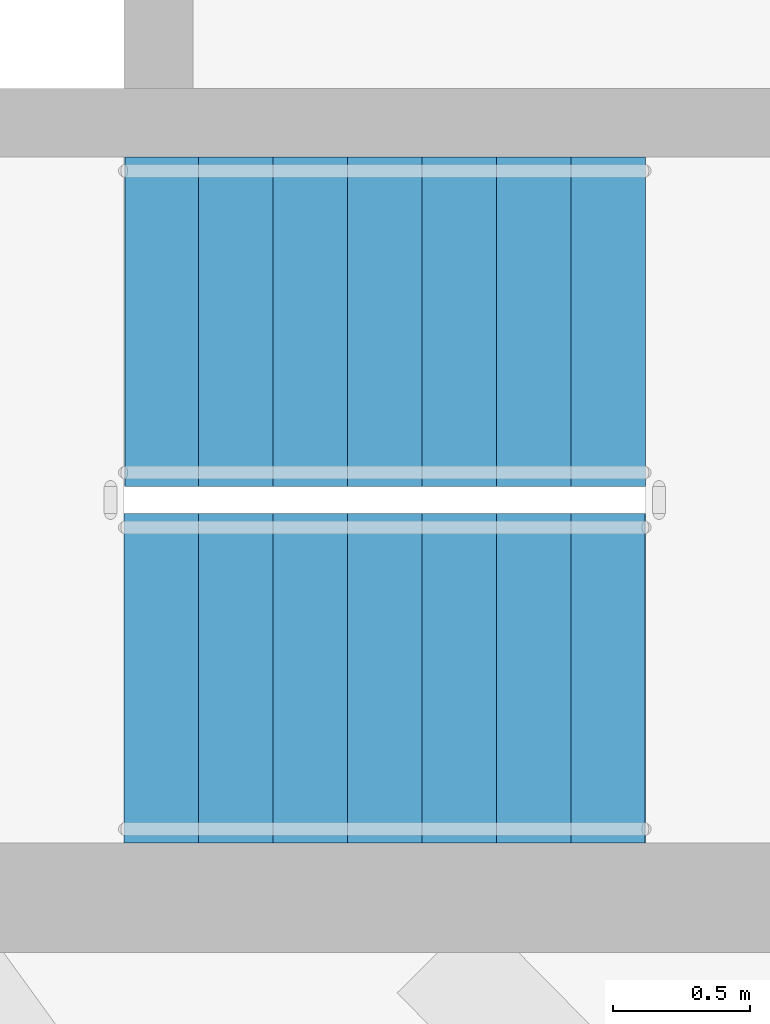
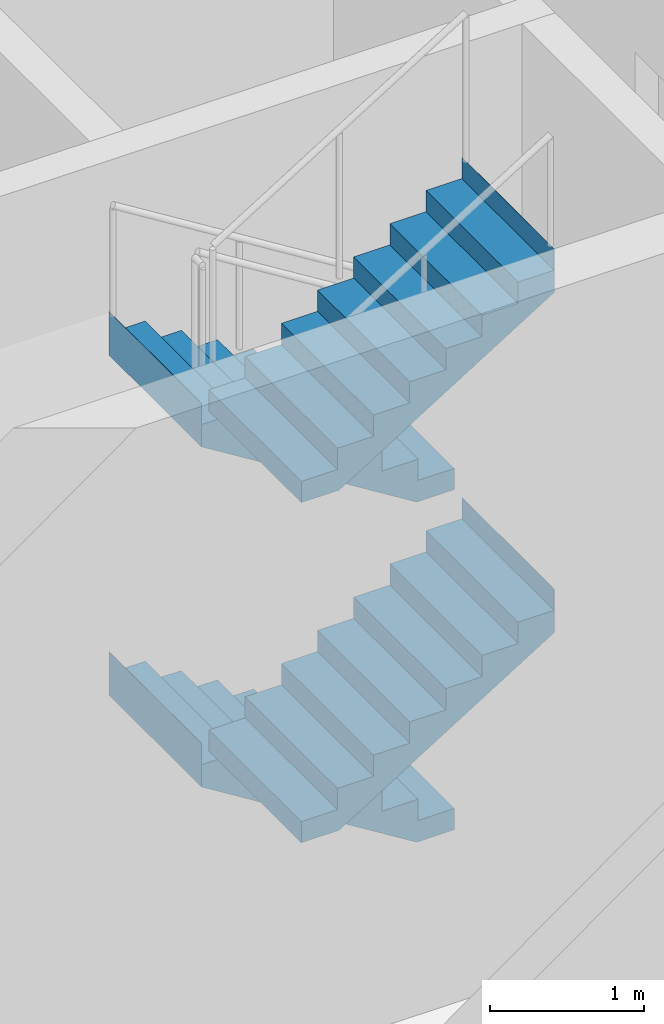
# One storey, part 9 of 17: 4 stair flights, 1 element without a shape of its own.
"""IFC4 building model written with IfcOpenShell, lengths in metres."""

from ifc_helpers import new_model, si_unit, direction, frame, origin, place, context, subcontext, project, spatial, triangles, material, type_object, element, aggregate, save


model = new_model("IFC4")

# Units and contexts
model_context = context("Model", 3, precision=1e-05, world=origin(), true_north=direction((0.0, 1.0)))
body_context = subcontext(model_context, "Body", "Model", "MODEL_VIEW")
ifc_project = project(units=[si_unit("LENGTHUNIT", "METRE"), si_unit("AREAUNIT", "SQUARE_METRE"), si_unit("VOLUMEUNIT", "CUBIC_METRE"), si_unit("PLANEANGLEUNIT", "RADIAN"), si_unit("MASSUNIT", "GRAM", prefix="KILO")], contexts=[model_context])

# Site, building, storey
site_placement = place(None, origin())
site = spatial("IfcSite", under=ifc_project, at=site_placement, CompositionType="ELEMENT")
building_placement = place(site_placement, origin())
building = spatial("IfcBuilding", under=site, at=building_placement, Name="Sahrelin Media Tower", CompositionType="ELEMENT")
storey_placement = place(building_placement, frame((0.0, 0.0, 249.60009765625)))
storey = spatial("IfcBuildingStorey", under=building, at=storey_placement, Name="L54", CompositionType="ELEMENT", Elevation=249.60009765625)

# Stair, stair flights
ifc_material = material(Name="Concrete C40/50", Category="concrete")
stair_type = type_object("IfcStairType", Name="Exit stair 1200", PredefinedType="HALF_TURN_STAIR", material=ifc_material)
stair_placement = place(storey_placement, origin())
stair = element("IfcStair", 1, at=stair_placement, inside=storey, type_object=stair_type, Name="L54 Exit stair ST2", PredefinedType="HALF_TURN_STAIR")
stair_flight_type = type_object("IfcStairFlightType", Name="Stair flight 1200", PredefinedType="STRAIGHT", material=ifc_material)
stair_flight_1_placement = place(storey_placement, frame((7.675048828125, -4.699951171875, 0.0), z_axis=(0.0, 0.0, 1.0), x_axis=(-1.0, 0.0, 0.0)))
stair_flight_1 = element("IfcStairFlight", 2, at=stair_flight_1_placement, type_object=stair_flight_type, Name="ST2 flight 1", NumberOfRisers=8, NumberOfTreads=7, PredefinedType="STRAIGHT", RiserHeight=0.16875, TreadLength=0.271428571, context=body_context, shape_type="Tessellation", body=[
    triangles([(0.283935546875, 0.60009765625, 0.0), (0.283935546875, 0.300048828125, 0.0), (0.283935546875, 0.0, 0.0), (0.283935546875, -0.300048828125, 0.0), (0.283935546875, -0.60009765625, 0.0), (1.89990234375, 0.60009765625, 1.004638671875), (1.89990234375, 0.300048828125, 1.004638671875), (1.89990234375, 0.0, 1.004638671875), (1.89990234375, -0.300048828125, 1.004638671875), (1.89990234375, -0.60009765625, 1.004638671875), (1.89990234375, 0.60009765625, 1.35009765625), (1.89990234375, 0.300048828125, 1.35009765625), (1.89990234375, 0.0, 1.35009765625), (1.89990234375, -0.300048828125, 1.35009765625), (1.89990234375, -0.60009765625, 1.35009765625), (1.89794921875, 0.60009765625, 1.35009765625), (1.89794921875, 0.300048828125, 1.35009765625), (1.89794921875, 0.0, 1.35009765625), (1.89794921875, -0.300048828125, 1.35009765625), (1.89794921875, -0.60009765625, 1.35009765625), (1.89794921875, 0.60009765625, 1.18115234375), (1.89794921875, 0.300048828125, 1.18115234375), (1.89794921875, 0.0, 1.18115234375), (1.89794921875, -0.300048828125, 1.18115234375), (1.89794921875, -0.60009765625, 1.18115234375), (1.628662109375, 0.60009765625, 1.18115234375), (1.628662109375, 0.300048828125, 1.18115234375), (1.628662109375, 0.0, 1.18115234375), (1.628662109375, -0.300048828125, 1.18115234375), (1.628662109375, -0.60009765625, 1.18115234375), (1.628662109375, 0.60009765625, 1.012451171875), (1.628662109375, 0.300048828125, 1.012451171875), (1.628662109375, 0.0, 1.012451171875), (1.628662109375, -0.300048828125, 1.012451171875), (1.628662109375, -0.60009765625, 1.012451171875), (1.357177734375, 0.60009765625, 1.012451171875), (1.357177734375, 0.300048828125, 1.012451171875), (1.357177734375, 0.0, 1.012451171875), (1.357177734375, -0.300048828125, 1.012451171875), (1.357177734375, -0.60009765625, 1.012451171875), (1.357177734375, 0.60009765625, 0.84375), (1.357177734375, 0.300048828125, 0.84375), (1.357177734375, 0.0, 0.84375), (1.357177734375, -0.300048828125, 0.84375), (1.357177734375, -0.60009765625, 0.84375), (1.085693359375, 0.60009765625, 0.84375), (1.085693359375, 0.300048828125, 0.84375), (1.085693359375, 0.0, 0.84375), (1.085693359375, -0.300048828125, 0.84375), (1.085693359375, -0.60009765625, 0.84375), (1.085693359375, 0.60009765625, 0.675048828125), (1.085693359375, 0.300048828125, 0.675048828125), (1.085693359375, 0.0, 0.675048828125), (1.085693359375, -0.300048828125, 0.675048828125), (1.085693359375, -0.60009765625, 0.675048828125), (0.814208984375, 0.60009765625, 0.675048828125), (0.814208984375, 0.300048828125, 0.675048828125), (0.814208984375, 0.0, 0.675048828125), (0.814208984375, -0.300048828125, 0.675048828125), (0.814208984375, -0.60009765625, 0.675048828125), (0.814208984375, 0.60009765625, 0.50634765625), (0.814208984375, 0.300048828125, 0.50634765625), (0.814208984375, 0.0, 0.50634765625), (0.814208984375, -0.300048828125, 0.50634765625), (0.814208984375, -0.60009765625, 0.50634765625), (0.54296875, 0.60009765625, 0.50634765625), (0.54296875, 0.300048828125, 0.50634765625), (0.54296875, 0.0, 0.50634765625), (0.54296875, -0.300048828125, 0.50634765625), (0.54296875, -0.60009765625, 0.50634765625), (0.54296875, 0.60009765625, 0.33740234375), (0.54296875, 0.300048828125, 0.33740234375), (0.54296875, 0.0, 0.33740234375), (0.54296875, -0.300048828125, 0.33740234375), (0.54296875, -0.60009765625, 0.33740234375), (0.271484375, 0.60009765625, 0.33740234375), (0.271484375, 0.300048828125, 0.33740234375), (0.271484375, 0.0, 0.33740234375), (0.271484375, -0.300048828125, 0.33740234375), (0.271484375, -0.60009765625, 0.33740234375), (0.271484375, 0.60009765625, 0.168701171875), (0.271484375, 0.300048828125, 0.168701171875), (0.271484375, 0.0, 0.168701171875), (0.271484375, -0.300048828125, 0.168701171875), (0.271484375, -0.60009765625, 0.168701171875), (0.0, 0.60009765625, 0.168701171875), (0.0, 0.300048828125, 0.168701171875), (0.0, 0.0, 0.168701171875), (0.0, -0.300048828125, 0.168701171875), (0.0, -0.60009765625, 0.168701171875), (0.0, 0.60009765625, 0.0), (0.0, 0.300048828125, 0.0), (0.0, 0.0, 0.0), (0.0, -0.300048828125, 0.0), (0.0, -0.60009765625, 0.0)], [[1, 6, 7], [1, 7, 2], [2, 7, 8], [2, 8, 3], [3, 8, 9], [3, 9, 4], [4, 9, 10], [4, 10, 5], [6, 11, 12], [6, 12, 7], [7, 12, 13], [7, 13, 8], [8, 13, 14], [8, 14, 9], [9, 14, 15], [9, 15, 10], [11, 16, 17], [11, 17, 12], [12, 17, 18], [12, 18, 13], [13, 18, 19], [13, 19, 14], [14, 19, 20], [14, 20, 15], [16, 21, 22], [16, 22, 17], [17, 22, 23], [17, 23, 18], [18, 23, 24], [18, 24, 19], [19, 24, 25], [19, 25, 20], [21, 26, 27], [21, 27, 22], [22, 27, 28], [22, 28, 23], [23, 28, 29], [23, 29, 24], [24, 29, 30], [24, 30, 25], [26, 31, 32], [26, 32, 27], [27, 32, 33], [27, 33, 28], [28, 33, 34], [28, 34, 29], [29, 34, 35], [29, 35, 30], [31, 36, 37], [31, 37, 32], [32, 37, 38], [32, 38, 33], [33, 38, 39], [33, 39, 34], [34, 39, 40], [34, 40, 35], [36, 41, 42], [36, 42, 37], [37, 42, 43], [37, 43, 38], [38, 43, 44], [38, 44, 39], [39, 44, 45], [39, 45, 40], [41, 46, 47], [41, 47, 42], [42, 47, 48], [42, 48, 43], [43, 48, 49], [43, 49, 44], [44, 49, 50], [44, 50, 45], [46, 51, 52], [46, 52, 47], [47, 52, 53], [47, 53, 48], [48, 53, 54], [48, 54, 49], [49, 54, 55], [49, 55, 50], [51, 56, 57], [51, 57, 52], [52, 57, 58], [52, 58, 53], [53, 58, 59], [53, 59, 54], [54, 59, 60], [54, 60, 55], [56, 61, 62], [56, 62, 57], [57, 62, 63], [57, 63, 58], [58, 63, 64], [58, 64, 59], [59, 64, 65], [59, 65, 60], [61, 66, 67], [61, 67, 62], [62, 67, 68], [62, 68, 63], [63, 68, 69], [63, 69, 64], [64, 69, 70], [64, 70, 65], [66, 71, 72], [66, 72, 67], [67, 72, 73], [67, 73, 68], [68, 73, 74], [68, 74, 69], [69, 74, 75], [69, 75, 70], [71, 76, 77], [71, 77, 72], [72, 77, 78], [72, 78, 73], [73, 78, 79], [73, 79, 74], [74, 79, 80], [74, 80, 75], [76, 81, 82], [76, 82, 77], [77, 82, 83], [77, 83, 78], [78, 83, 84], [78, 84, 79], [79, 84, 85], [79, 85, 80], [81, 86, 87], [81, 87, 82], [82, 87, 88], [82, 88, 83], [83, 88, 89], [83, 89, 84], [84, 89, 90], [84, 90, 85], [86, 91, 92], [86, 92, 87], [87, 92, 93], [87, 93, 88], [88, 93, 94], [88, 94, 89], [89, 94, 95], [89, 95, 90], [91, 1, 2], [91, 2, 92], [92, 2, 3], [92, 3, 93], [93, 3, 4], [93, 4, 94], [94, 4, 5], [94, 5, 95], [85, 90, 95], [81, 91, 86], [85, 75, 80], [81, 76, 71], [75, 65, 70], [71, 66, 61], [65, 55, 60], [61, 56, 51], [55, 45, 50], [51, 46, 41], [45, 35, 40], [41, 36, 31], [35, 25, 30], [31, 26, 21], [25, 15, 20], [21, 16, 11], [95, 5, 85], [91, 81, 1], [5, 55, 65], [1, 61, 51], [25, 10, 15], [21, 11, 6], [75, 85, 5], [71, 1, 81], [10, 45, 55], [6, 51, 41], [35, 10, 25], [31, 21, 6], [65, 75, 5], [61, 1, 71], [45, 10, 35], [41, 31, 6], [5, 10, 55], [1, 51, 6]], closed=True),
])
stair_flight_2_placement = place(storey_placement, frame((5.77490234375, -6.0, 1.349853515625), z_axis=(0.0, 0.0, 1.0), x_axis=(1.0, 0.0, 0.0)))
stair_flight_2 = element("IfcStairFlight", 3, at=stair_flight_2_placement, type_object=stair_flight_type, Name="ST2 flight 2", NumberOfRisers=8, NumberOfTreads=7, PredefinedType="STRAIGHT", RiserHeight=0.16875, TreadLength=0.271428571, context=body_context, shape_type="Tessellation", body=[
    triangles([(0.283935546875, 0.60009765625, 0.0), (0.283935546875, 0.300048828125, 0.0), (0.283935546875, 0.0, 0.0), (0.283935546875, -0.300048828125, 0.0), (0.283935546875, -0.60009765625, 0.0), (1.89990234375, 0.60009765625, 1.004638671875), (1.89990234375, 0.300048828125, 1.004638671875), (1.89990234375, 0.0, 1.004638671875), (1.89990234375, -0.300048828125, 1.004638671875), (1.89990234375, -0.60009765625, 1.004638671875), (1.89990234375, 0.60009765625, 1.35009765625), (1.89990234375, 0.300048828125, 1.35009765625), (1.89990234375, 0.0, 1.35009765625), (1.89990234375, -0.300048828125, 1.35009765625), (1.89990234375, -0.60009765625, 1.35009765625), (1.89794921875, 0.60009765625, 1.35009765625), (1.89794921875, 0.300048828125, 1.35009765625), (1.89794921875, 0.0, 1.35009765625), (1.89794921875, -0.300048828125, 1.35009765625), (1.89794921875, -0.60009765625, 1.35009765625), (1.89794921875, 0.60009765625, 1.18115234375), (1.89794921875, 0.300048828125, 1.18115234375), (1.89794921875, 0.0, 1.18115234375), (1.89794921875, -0.300048828125, 1.18115234375), (1.89794921875, -0.60009765625, 1.18115234375), (1.628662109375, 0.60009765625, 1.18115234375), (1.628662109375, 0.300048828125, 1.18115234375), (1.628662109375, 0.0, 1.18115234375), (1.628662109375, -0.300048828125, 1.18115234375), (1.628662109375, -0.60009765625, 1.18115234375), (1.628662109375, 0.60009765625, 1.012451171875), (1.628662109375, 0.300048828125, 1.012451171875), (1.628662109375, 0.0, 1.012451171875), (1.628662109375, -0.300048828125, 1.012451171875), (1.628662109375, -0.60009765625, 1.012451171875), (1.357177734375, 0.60009765625, 1.012451171875), (1.357177734375, 0.300048828125, 1.012451171875), (1.357177734375, 0.0, 1.012451171875), (1.357177734375, -0.300048828125, 1.012451171875), (1.357177734375, -0.60009765625, 1.012451171875), (1.357177734375, 0.60009765625, 0.84375), (1.357177734375, 0.300048828125, 0.84375), (1.357177734375, 0.0, 0.84375), (1.357177734375, -0.300048828125, 0.84375), (1.357177734375, -0.60009765625, 0.84375), (1.085693359375, 0.60009765625, 0.84375), (1.085693359375, 0.300048828125, 0.84375), (1.085693359375, 0.0, 0.84375), (1.085693359375, -0.300048828125, 0.84375), (1.085693359375, -0.60009765625, 0.84375), (1.085693359375, 0.60009765625, 0.675048828125), (1.085693359375, 0.300048828125, 0.675048828125), (1.085693359375, 0.0, 0.675048828125), (1.085693359375, -0.300048828125, 0.675048828125), (1.085693359375, -0.60009765625, 0.675048828125), (0.814208984375, 0.60009765625, 0.675048828125), (0.814208984375, 0.300048828125, 0.675048828125), (0.814208984375, 0.0, 0.675048828125), (0.814208984375, -0.300048828125, 0.675048828125), (0.814208984375, -0.60009765625, 0.675048828125), (0.814208984375, 0.60009765625, 0.50634765625), (0.814208984375, 0.300048828125, 0.50634765625), (0.814208984375, 0.0, 0.50634765625), (0.814208984375, -0.300048828125, 0.50634765625), (0.814208984375, -0.60009765625, 0.50634765625), (0.54296875, 0.60009765625, 0.50634765625), (0.54296875, 0.300048828125, 0.50634765625), (0.54296875, 0.0, 0.50634765625), (0.54296875, -0.300048828125, 0.50634765625), (0.54296875, -0.60009765625, 0.50634765625), (0.54296875, 0.60009765625, 0.33740234375), (0.54296875, 0.300048828125, 0.33740234375), (0.54296875, 0.0, 0.33740234375), (0.54296875, -0.300048828125, 0.33740234375), (0.54296875, -0.60009765625, 0.33740234375), (0.271484375, 0.60009765625, 0.33740234375), (0.271484375, 0.300048828125, 0.33740234375), (0.271484375, 0.0, 0.33740234375), (0.271484375, -0.300048828125, 0.33740234375), (0.271484375, -0.60009765625, 0.33740234375), (0.271484375, 0.60009765625, 0.168701171875), (0.271484375, 0.300048828125, 0.168701171875), (0.271484375, 0.0, 0.168701171875), (0.271484375, -0.300048828125, 0.168701171875), (0.271484375, -0.60009765625, 0.168701171875), (0.0, 0.60009765625, 0.168701171875), (0.0, 0.300048828125, 0.168701171875), (0.0, 0.0, 0.168701171875), (0.0, -0.300048828125, 0.168701171875), (0.0, -0.60009765625, 0.168701171875), (0.0, 0.60009765625, 0.0), (0.0, 0.300048828125, 0.0), (0.0, 0.0, 0.0), (0.0, -0.300048828125, 0.0), (0.0, -0.60009765625, 0.0)], [[1, 6, 7], [1, 7, 2], [2, 7, 8], [2, 8, 3], [3, 8, 9], [3, 9, 4], [4, 9, 10], [4, 10, 5], [6, 11, 12], [6, 12, 7], [7, 12, 13], [7, 13, 8], [8, 13, 14], [8, 14, 9], [9, 14, 15], [9, 15, 10], [11, 16, 17], [11, 17, 12], [12, 17, 18], [12, 18, 13], [13, 18, 19], [13, 19, 14], [14, 19, 20], [14, 20, 15], [16, 21, 22], [16, 22, 17], [17, 22, 23], [17, 23, 18], [18, 23, 24], [18, 24, 19], [19, 24, 25], [19, 25, 20], [21, 26, 27], [21, 27, 22], [22, 27, 28], [22, 28, 23], [23, 28, 29], [23, 29, 24], [24, 29, 30], [24, 30, 25], [26, 31, 32], [26, 32, 27], [27, 32, 33], [27, 33, 28], [28, 33, 34], [28, 34, 29], [29, 34, 35], [29, 35, 30], [31, 36, 37], [31, 37, 32], [32, 37, 38], [32, 38, 33], [33, 38, 39], [33, 39, 34], [34, 39, 40], [34, 40, 35], [36, 41, 42], [36, 42, 37], [37, 42, 43], [37, 43, 38], [38, 43, 44], [38, 44, 39], [39, 44, 45], [39, 45, 40], [41, 46, 47], [41, 47, 42], [42, 47, 48], [42, 48, 43], [43, 48, 49], [43, 49, 44], [44, 49, 50], [44, 50, 45], [46, 51, 52], [46, 52, 47], [47, 52, 53], [47, 53, 48], [48, 53, 54], [48, 54, 49], [49, 54, 55], [49, 55, 50], [51, 56, 57], [51, 57, 52], [52, 57, 58], [52, 58, 53], [53, 58, 59], [53, 59, 54], [54, 59, 60], [54, 60, 55], [56, 61, 62], [56, 62, 57], [57, 62, 63], [57, 63, 58], [58, 63, 64], [58, 64, 59], [59, 64, 65], [59, 65, 60], [61, 66, 67], [61, 67, 62], [62, 67, 68], [62, 68, 63], [63, 68, 69], [63, 69, 64], [64, 69, 70], [64, 70, 65], [66, 71, 72], [66, 72, 67], [67, 72, 73], [67, 73, 68], [68, 73, 74], [68, 74, 69], [69, 74, 75], [69, 75, 70], [71, 76, 77], [71, 77, 72], [72, 77, 78], [72, 78, 73], [73, 78, 79], [73, 79, 74], [74, 79, 80], [74, 80, 75], [76, 81, 82], [76, 82, 77], [77, 82, 83], [77, 83, 78], [78, 83, 84], [78, 84, 79], [79, 84, 85], [79, 85, 80], [81, 86, 87], [81, 87, 82], [82, 87, 88], [82, 88, 83], [83, 88, 89], [83, 89, 84], [84, 89, 90], [84, 90, 85], [86, 91, 92], [86, 92, 87], [87, 92, 93], [87, 93, 88], [88, 93, 94], [88, 94, 89], [89, 94, 95], [89, 95, 90], [91, 1, 2], [91, 2, 92], [92, 2, 3], [92, 3, 93], [93, 3, 4], [93, 4, 94], [94, 4, 5], [94, 5, 95], [85, 90, 95], [81, 91, 86], [85, 75, 80], [81, 76, 71], [75, 65, 70], [71, 66, 61], [65, 55, 60], [61, 56, 51], [55, 45, 50], [51, 46, 41], [45, 35, 40], [41, 36, 31], [35, 25, 30], [31, 26, 21], [25, 15, 20], [21, 16, 11], [95, 5, 85], [91, 81, 1], [5, 55, 65], [1, 61, 51], [25, 10, 15], [21, 11, 6], [75, 85, 5], [71, 1, 81], [10, 45, 55], [6, 51, 41], [35, 10, 25], [31, 21, 6], [65, 75, 5], [61, 1, 71], [45, 10, 35], [41, 31, 6], [5, 10, 55], [1, 51, 6]], closed=True),
])
stair_flight_3_placement = place(storey_placement, frame((7.675048828125, -4.699951171875, 2.699951171875), z_axis=(0.0, 0.0, 1.0), x_axis=(-1.0, 0.0, 0.0)))
stair_flight_3 = element("IfcStairFlight", 4, at=stair_flight_3_placement, type_object=stair_flight_type, Name="ST2 flight 3", NumberOfRisers=8, NumberOfTreads=7, PredefinedType="STRAIGHT", RiserHeight=0.16875, TreadLength=0.271428571, context=body_context, shape_type="Tessellation", body=[
    triangles([(0.283935546875, 0.60009765625, 0.0), (0.283935546875, 0.300048828125, 0.0), (0.283935546875, 0.0, 0.0), (0.283935546875, -0.300048828125, 0.0), (0.283935546875, -0.60009765625, 0.0), (1.89990234375, 0.60009765625, 1.004638671875), (1.89990234375, 0.300048828125, 1.004638671875), (1.89990234375, 0.0, 1.004638671875), (1.89990234375, -0.300048828125, 1.004638671875), (1.89990234375, -0.60009765625, 1.004638671875), (1.89990234375, 0.60009765625, 1.35009765625), (1.89990234375, 0.300048828125, 1.35009765625), (1.89990234375, 0.0, 1.35009765625), (1.89990234375, -0.300048828125, 1.35009765625), (1.89990234375, -0.60009765625, 1.35009765625), (1.89794921875, 0.60009765625, 1.35009765625), (1.89794921875, 0.300048828125, 1.35009765625), (1.89794921875, 0.0, 1.35009765625), (1.89794921875, -0.300048828125, 1.35009765625), (1.89794921875, -0.60009765625, 1.35009765625), (1.89794921875, 0.60009765625, 1.18115234375), (1.89794921875, 0.300048828125, 1.18115234375), (1.89794921875, 0.0, 1.18115234375), (1.89794921875, -0.300048828125, 1.18115234375), (1.89794921875, -0.60009765625, 1.18115234375), (1.628662109375, 0.60009765625, 1.18115234375), (1.628662109375, 0.300048828125, 1.18115234375), (1.628662109375, 0.0, 1.18115234375), (1.628662109375, -0.300048828125, 1.18115234375), (1.628662109375, -0.60009765625, 1.18115234375), (1.628662109375, 0.60009765625, 1.012451171875), (1.628662109375, 0.300048828125, 1.012451171875), (1.628662109375, 0.0, 1.012451171875), (1.628662109375, -0.300048828125, 1.012451171875), (1.628662109375, -0.60009765625, 1.012451171875), (1.357177734375, 0.60009765625, 1.012451171875), (1.357177734375, 0.300048828125, 1.012451171875), (1.357177734375, 0.0, 1.012451171875), (1.357177734375, -0.300048828125, 1.012451171875), (1.357177734375, -0.60009765625, 1.012451171875), (1.357177734375, 0.60009765625, 0.84375), (1.357177734375, 0.300048828125, 0.84375), (1.357177734375, 0.0, 0.84375), (1.357177734375, -0.300048828125, 0.84375), (1.357177734375, -0.60009765625, 0.84375), (1.085693359375, 0.60009765625, 0.84375), (1.085693359375, 0.300048828125, 0.84375), (1.085693359375, 0.0, 0.84375), (1.085693359375, -0.300048828125, 0.84375), (1.085693359375, -0.60009765625, 0.84375), (1.085693359375, 0.60009765625, 0.675048828125), (1.085693359375, 0.300048828125, 0.675048828125), (1.085693359375, 0.0, 0.675048828125), (1.085693359375, -0.300048828125, 0.675048828125), (1.085693359375, -0.60009765625, 0.675048828125), (0.814208984375, 0.60009765625, 0.675048828125), (0.814208984375, 0.300048828125, 0.675048828125), (0.814208984375, 0.0, 0.675048828125), (0.814208984375, -0.300048828125, 0.675048828125), (0.814208984375, -0.60009765625, 0.675048828125), (0.814208984375, 0.60009765625, 0.50634765625), (0.814208984375, 0.300048828125, 0.50634765625), (0.814208984375, 0.0, 0.50634765625), (0.814208984375, -0.300048828125, 0.50634765625), (0.814208984375, -0.60009765625, 0.50634765625), (0.54296875, 0.60009765625, 0.50634765625), (0.54296875, 0.300048828125, 0.50634765625), (0.54296875, 0.0, 0.50634765625), (0.54296875, -0.300048828125, 0.50634765625), (0.54296875, -0.60009765625, 0.50634765625), (0.54296875, 0.60009765625, 0.33740234375), (0.54296875, 0.300048828125, 0.33740234375), (0.54296875, 0.0, 0.33740234375), (0.54296875, -0.300048828125, 0.33740234375), (0.54296875, -0.60009765625, 0.33740234375), (0.271484375, 0.60009765625, 0.33740234375), (0.271484375, 0.300048828125, 0.33740234375), (0.271484375, 0.0, 0.33740234375), (0.271484375, -0.300048828125, 0.33740234375), (0.271484375, -0.60009765625, 0.33740234375), (0.271484375, 0.60009765625, 0.168701171875), (0.271484375, 0.300048828125, 0.168701171875), (0.271484375, 0.0, 0.168701171875), (0.271484375, -0.300048828125, 0.168701171875), (0.271484375, -0.60009765625, 0.168701171875), (0.0, 0.60009765625, 0.168701171875), (0.0, 0.300048828125, 0.168701171875), (0.0, 0.0, 0.168701171875), (0.0, -0.300048828125, 0.168701171875), (0.0, -0.60009765625, 0.168701171875), (0.0, 0.60009765625, 0.0), (0.0, 0.300048828125, 0.0), (0.0, 0.0, 0.0), (0.0, -0.300048828125, 0.0), (0.0, -0.60009765625, 0.0)], [[1, 6, 7], [1, 7, 2], [2, 7, 8], [2, 8, 3], [3, 8, 9], [3, 9, 4], [4, 9, 10], [4, 10, 5], [6, 11, 12], [6, 12, 7], [7, 12, 13], [7, 13, 8], [8, 13, 14], [8, 14, 9], [9, 14, 15], [9, 15, 10], [11, 16, 17], [11, 17, 12], [12, 17, 18], [12, 18, 13], [13, 18, 19], [13, 19, 14], [14, 19, 20], [14, 20, 15], [16, 21, 22], [16, 22, 17], [17, 22, 23], [17, 23, 18], [18, 23, 24], [18, 24, 19], [19, 24, 25], [19, 25, 20], [21, 26, 27], [21, 27, 22], [22, 27, 28], [22, 28, 23], [23, 28, 29], [23, 29, 24], [24, 29, 30], [24, 30, 25], [26, 31, 32], [26, 32, 27], [27, 32, 33], [27, 33, 28], [28, 33, 34], [28, 34, 29], [29, 34, 35], [29, 35, 30], [31, 36, 37], [31, 37, 32], [32, 37, 38], [32, 38, 33], [33, 38, 39], [33, 39, 34], [34, 39, 40], [34, 40, 35], [36, 41, 42], [36, 42, 37], [37, 42, 43], [37, 43, 38], [38, 43, 44], [38, 44, 39], [39, 44, 45], [39, 45, 40], [41, 46, 47], [41, 47, 42], [42, 47, 48], [42, 48, 43], [43, 48, 49], [43, 49, 44], [44, 49, 50], [44, 50, 45], [46, 51, 52], [46, 52, 47], [47, 52, 53], [47, 53, 48], [48, 53, 54], [48, 54, 49], [49, 54, 55], [49, 55, 50], [51, 56, 57], [51, 57, 52], [52, 57, 58], [52, 58, 53], [53, 58, 59], [53, 59, 54], [54, 59, 60], [54, 60, 55], [56, 61, 62], [56, 62, 57], [57, 62, 63], [57, 63, 58], [58, 63, 64], [58, 64, 59], [59, 64, 65], [59, 65, 60], [61, 66, 67], [61, 67, 62], [62, 67, 68], [62, 68, 63], [63, 68, 69], [63, 69, 64], [64, 69, 70], [64, 70, 65], [66, 71, 72], [66, 72, 67], [67, 72, 73], [67, 73, 68], [68, 73, 74], [68, 74, 69], [69, 74, 75], [69, 75, 70], [71, 76, 77], [71, 77, 72], [72, 77, 78], [72, 78, 73], [73, 78, 79], [73, 79, 74], [74, 79, 80], [74, 80, 75], [76, 81, 82], [76, 82, 77], [77, 82, 83], [77, 83, 78], [78, 83, 84], [78, 84, 79], [79, 84, 85], [79, 85, 80], [81, 86, 87], [81, 87, 82], [82, 87, 88], [82, 88, 83], [83, 88, 89], [83, 89, 84], [84, 89, 90], [84, 90, 85], [86, 91, 92], [86, 92, 87], [87, 92, 93], [87, 93, 88], [88, 93, 94], [88, 94, 89], [89, 94, 95], [89, 95, 90], [91, 1, 2], [91, 2, 92], [92, 2, 3], [92, 3, 93], [93, 3, 4], [93, 4, 94], [94, 4, 5], [94, 5, 95], [85, 90, 95], [81, 91, 86], [85, 75, 80], [81, 76, 71], [75, 65, 70], [71, 66, 61], [65, 55, 60], [61, 56, 51], [55, 45, 50], [51, 46, 41], [45, 35, 40], [41, 36, 31], [35, 25, 30], [31, 26, 21], [25, 15, 20], [21, 16, 11], [95, 5, 85], [91, 81, 1], [5, 55, 65], [1, 61, 51], [25, 10, 15], [21, 11, 6], [75, 85, 5], [71, 1, 81], [10, 45, 55], [6, 51, 41], [35, 10, 25], [31, 21, 6], [65, 75, 5], [61, 1, 71], [45, 10, 35], [41, 31, 6], [5, 10, 55], [1, 51, 6]], closed=True),
])
stair_flight_4_placement = place(storey_placement, frame((5.77490234375, -6.0, 4.0498046875), z_axis=(0.0, 0.0, 1.0), x_axis=(1.0, 0.0, 0.0)))
stair_flight_4 = element("IfcStairFlight", 5, at=stair_flight_4_placement, type_object=stair_flight_type, Name="ST2 flight 4", NumberOfRisers=8, NumberOfTreads=7, PredefinedType="STRAIGHT", RiserHeight=0.16875, TreadLength=0.271428571, context=body_context, shape_type="Tessellation", body=[
    triangles([(0.283935546875, 0.60009765625, 0.0), (0.283935546875, 0.300048828125, 0.0), (0.283935546875, 0.0, 0.0), (0.283935546875, -0.300048828125, 0.0), (0.283935546875, -0.60009765625, 0.0), (1.89990234375, 0.60009765625, 1.004638671875), (1.89990234375, 0.300048828125, 1.004638671875), (1.89990234375, 0.0, 1.004638671875), (1.89990234375, -0.300048828125, 1.004638671875), (1.89990234375, -0.60009765625, 1.004638671875), (1.89990234375, 0.60009765625, 1.35009765625), (1.89990234375, 0.300048828125, 1.35009765625), (1.89990234375, 0.0, 1.35009765625), (1.89990234375, -0.300048828125, 1.35009765625), (1.89990234375, -0.60009765625, 1.35009765625), (1.89794921875, 0.60009765625, 1.35009765625), (1.89794921875, 0.300048828125, 1.35009765625), (1.89794921875, 0.0, 1.35009765625), (1.89794921875, -0.300048828125, 1.35009765625), (1.89794921875, -0.60009765625, 1.35009765625), (1.89794921875, 0.60009765625, 1.18115234375), (1.89794921875, 0.300048828125, 1.18115234375), (1.89794921875, 0.0, 1.18115234375), (1.89794921875, -0.300048828125, 1.18115234375), (1.89794921875, -0.60009765625, 1.18115234375), (1.628662109375, 0.60009765625, 1.18115234375), (1.628662109375, 0.300048828125, 1.18115234375), (1.628662109375, 0.0, 1.18115234375), (1.628662109375, -0.300048828125, 1.18115234375), (1.628662109375, -0.60009765625, 1.18115234375), (1.628662109375, 0.60009765625, 1.012451171875), (1.628662109375, 0.300048828125, 1.012451171875), (1.628662109375, 0.0, 1.012451171875), (1.628662109375, -0.300048828125, 1.012451171875), (1.628662109375, -0.60009765625, 1.012451171875), (1.357177734375, 0.60009765625, 1.012451171875), (1.357177734375, 0.300048828125, 1.012451171875), (1.357177734375, 0.0, 1.012451171875), (1.357177734375, -0.300048828125, 1.012451171875), (1.357177734375, -0.60009765625, 1.012451171875), (1.357177734375, 0.60009765625, 0.84375), (1.357177734375, 0.300048828125, 0.84375), (1.357177734375, 0.0, 0.84375), (1.357177734375, -0.300048828125, 0.84375), (1.357177734375, -0.60009765625, 0.84375), (1.085693359375, 0.60009765625, 0.84375), (1.085693359375, 0.300048828125, 0.84375), (1.085693359375, 0.0, 0.84375), (1.085693359375, -0.300048828125, 0.84375), (1.085693359375, -0.60009765625, 0.84375), (1.085693359375, 0.60009765625, 0.675048828125), (1.085693359375, 0.300048828125, 0.675048828125), (1.085693359375, 0.0, 0.675048828125), (1.085693359375, -0.300048828125, 0.675048828125), (1.085693359375, -0.60009765625, 0.675048828125), (0.814208984375, 0.60009765625, 0.675048828125), (0.814208984375, 0.300048828125, 0.675048828125), (0.814208984375, 0.0, 0.675048828125), (0.814208984375, -0.300048828125, 0.675048828125), (0.814208984375, -0.60009765625, 0.675048828125), (0.814208984375, 0.60009765625, 0.50634765625), (0.814208984375, 0.300048828125, 0.50634765625), (0.814208984375, 0.0, 0.50634765625), (0.814208984375, -0.300048828125, 0.50634765625), (0.814208984375, -0.60009765625, 0.50634765625), (0.54296875, 0.60009765625, 0.50634765625), (0.54296875, 0.300048828125, 0.50634765625), (0.54296875, 0.0, 0.50634765625), (0.54296875, -0.300048828125, 0.50634765625), (0.54296875, -0.60009765625, 0.50634765625), (0.54296875, 0.60009765625, 0.33740234375), (0.54296875, 0.300048828125, 0.33740234375), (0.54296875, 0.0, 0.33740234375), (0.54296875, -0.300048828125, 0.33740234375), (0.54296875, -0.60009765625, 0.33740234375), (0.271484375, 0.60009765625, 0.33740234375), (0.271484375, 0.300048828125, 0.33740234375), (0.271484375, 0.0, 0.33740234375), (0.271484375, -0.300048828125, 0.33740234375), (0.271484375, -0.60009765625, 0.33740234375), (0.271484375, 0.60009765625, 0.168701171875), (0.271484375, 0.300048828125, 0.168701171875), (0.271484375, 0.0, 0.168701171875), (0.271484375, -0.300048828125, 0.168701171875), (0.271484375, -0.60009765625, 0.168701171875), (0.0, 0.60009765625, 0.168701171875), (0.0, 0.300048828125, 0.168701171875), (0.0, 0.0, 0.168701171875), (0.0, -0.300048828125, 0.168701171875), (0.0, -0.60009765625, 0.168701171875), (0.0, 0.60009765625, 0.0), (0.0, 0.300048828125, 0.0), (0.0, 0.0, 0.0), (0.0, -0.300048828125, 0.0), (0.0, -0.60009765625, 0.0)], [[1, 6, 7], [1, 7, 2], [2, 7, 8], [2, 8, 3], [3, 8, 9], [3, 9, 4], [4, 9, 10], [4, 10, 5], [6, 11, 12], [6, 12, 7], [7, 12, 13], [7, 13, 8], [8, 13, 14], [8, 14, 9], [9, 14, 15], [9, 15, 10], [11, 16, 17], [11, 17, 12], [12, 17, 18], [12, 18, 13], [13, 18, 19], [13, 19, 14], [14, 19, 20], [14, 20, 15], [16, 21, 22], [16, 22, 17], [17, 22, 23], [17, 23, 18], [18, 23, 24], [18, 24, 19], [19, 24, 25], [19, 25, 20], [21, 26, 27], [21, 27, 22], [22, 27, 28], [22, 28, 23], [23, 28, 29], [23, 29, 24], [24, 29, 30], [24, 30, 25], [26, 31, 32], [26, 32, 27], [27, 32, 33], [27, 33, 28], [28, 33, 34], [28, 34, 29], [29, 34, 35], [29, 35, 30], [31, 36, 37], [31, 37, 32], [32, 37, 38], [32, 38, 33], [33, 38, 39], [33, 39, 34], [34, 39, 40], [34, 40, 35], [36, 41, 42], [36, 42, 37], [37, 42, 43], [37, 43, 38], [38, 43, 44], [38, 44, 39], [39, 44, 45], [39, 45, 40], [41, 46, 47], [41, 47, 42], [42, 47, 48], [42, 48, 43], [43, 48, 49], [43, 49, 44], [44, 49, 50], [44, 50, 45], [46, 51, 52], [46, 52, 47], [47, 52, 53], [47, 53, 48], [48, 53, 54], [48, 54, 49], [49, 54, 55], [49, 55, 50], [51, 56, 57], [51, 57, 52], [52, 57, 58], [52, 58, 53], [53, 58, 59], [53, 59, 54], [54, 59, 60], [54, 60, 55], [56, 61, 62], [56, 62, 57], [57, 62, 63], [57, 63, 58], [58, 63, 64], [58, 64, 59], [59, 64, 65], [59, 65, 60], [61, 66, 67], [61, 67, 62], [62, 67, 68], [62, 68, 63], [63, 68, 69], [63, 69, 64], [64, 69, 70], [64, 70, 65], [66, 71, 72], [66, 72, 67], [67, 72, 73], [67, 73, 68], [68, 73, 74], [68, 74, 69], [69, 74, 75], [69, 75, 70], [71, 76, 77], [71, 77, 72], [72, 77, 78], [72, 78, 73], [73, 78, 79], [73, 79, 74], [74, 79, 80], [74, 80, 75], [76, 81, 82], [76, 82, 77], [77, 82, 83], [77, 83, 78], [78, 83, 84], [78, 84, 79], [79, 84, 85], [79, 85, 80], [81, 86, 87], [81, 87, 82], [82, 87, 88], [82, 88, 83], [83, 88, 89], [83, 89, 84], [84, 89, 90], [84, 90, 85], [86, 91, 92], [86, 92, 87], [87, 92, 93], [87, 93, 88], [88, 93, 94], [88, 94, 89], [89, 94, 95], [89, 95, 90], [91, 1, 2], [91, 2, 92], [92, 2, 3], [92, 3, 93], [93, 3, 4], [93, 4, 94], [94, 4, 5], [94, 5, 95], [85, 90, 95], [81, 91, 86], [85, 75, 80], [81, 76, 71], [75, 65, 70], [71, 66, 61], [65, 55, 60], [61, 56, 51], [55, 45, 50], [51, 46, 41], [45, 35, 40], [41, 36, 31], [35, 25, 30], [31, 26, 21], [25, 15, 20], [21, 16, 11], [95, 5, 85], [91, 81, 1], [5, 55, 65], [1, 61, 51], [25, 10, 15], [21, 11, 6], [75, 85, 5], [71, 1, 81], [10, 45, 55], [6, 51, 41], [35, 10, 25], [31, 21, 6], [65, 75, 5], [61, 1, 71], [45, 10, 35], [41, 31, 6], [5, 10, 55], [1, 51, 6]], closed=True),
])
aggregate(stair, [stair_flight_1, stair_flight_2, stair_flight_3, stair_flight_4])

save(model, "model.ifc")
